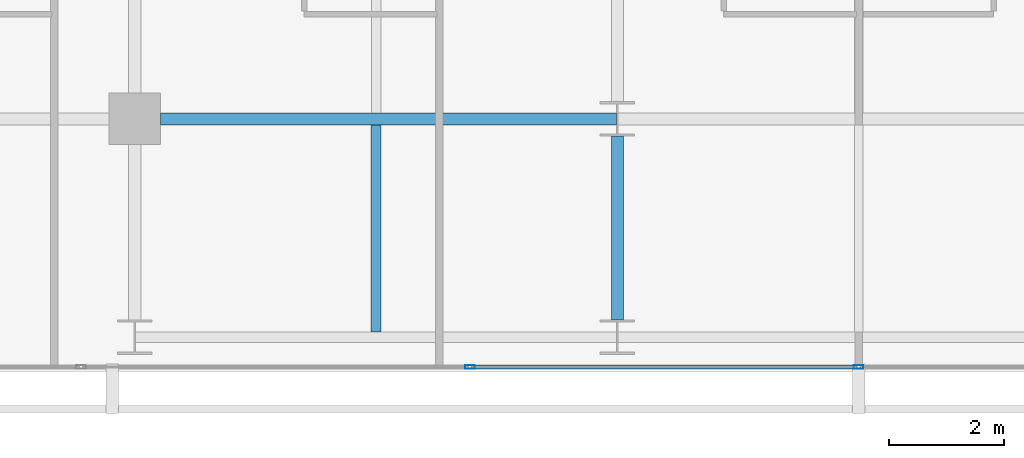
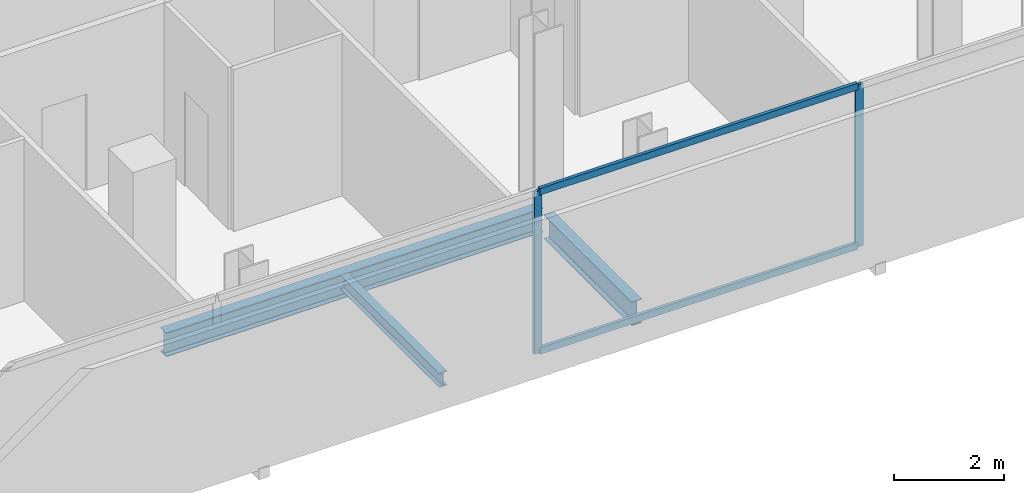
# One storey, part 6 of 33: 4 members, 3 beams, 1 element without a shape of its own.
"""IFC4 building model written with IfcOpenShell, lengths in metres."""

import ifcopenshell
import ifcopenshell.guid

model = None  # the IFC model being written
_history = None  # IfcOwnerHistory: only IFC2X3 demands one
_inside = {}  # id of a spatial element -> (the spatial element, [elements in it])
_under = {}  # id of a project, library or spatial element -> (it, [spatial elements below it])
_declared = {}  # id of a project -> (the project, [libraries it declares])
_typed = {}  # id of a type object -> (the type object, [elements of that type])
_made_of = {}  # id of a material, layer set ... -> (it, [elements and type objects made of it])


def new_model(schema):
    """Start an empty IFC model of exactly this schema.

    Asked for "IFC4X3", IfcOpenShell would pick the latest addendum, in which some entities
    have other attributes; the version numbers below select the first issue.
    IFC2X3 requires an IfcOwnerHistory on every rooted entity: one is made here for all.
    """
    global model, _history
    if schema == "IFC4X3":
        model = ifcopenshell.file(schema_version=(4, 3, 0, 0))
    else:
        model = ifcopenshell.file(schema=schema)
    _inside.clear()
    _under.clear()
    _declared.clear()
    _typed.clear()
    _made_of.clear()
    _history = None
    if model.schema == "IFC2X3":
        org = make("IfcOrganization", Name="unknown")
        user = make(
            "IfcPersonAndOrganization",
            ThePerson=make("IfcPerson", FamilyName="unknown"),
            TheOrganization=org,
        )
        app = make(
            "IfcApplication",
            ApplicationDeveloper=org,
            Version="unknown",
            ApplicationFullName="unknown",
            ApplicationIdentifier="unknown",
        )
        _history = make(
            "IfcOwnerHistory",
            OwningUser=user,
            OwningApplication=app,
            ChangeAction="ADDED",
            CreationDate=0,
        )
    return model


def make(cls, **values):
    """One entity of the class cls with the attributes given. An attribute that is None is left unset."""
    return model.create_entity(
        cls, **{name: value for name, value in values.items() if value is not None}
    )


def rooted(cls, **values):
    """An entity with a GlobalId (a new one), such as an element, a storey or a relation."""
    return make(cls, GlobalId=ifcopenshell.guid.new(), OwnerHistory=_history, **values)


def si_unit(unit_type, name, prefix=None):
    """IfcSIUnit, for example si_unit("LENGTHUNIT", "METRE", prefix="MILLI")."""
    return make("IfcSIUnit", UnitType=unit_type, Prefix=prefix, Name=name)


def assignment(units):
    """IfcUnitAssignment: the units of a project."""
    return None if units is None else make("IfcUnitAssignment", Units=units)


def point(xyz):
    """IfcCartesianPoint."""
    return None if xyz is None else make("IfcCartesianPoint", Coordinates=xyz)


def direction(xyz):
    """IfcDirection."""
    return None if xyz is None else make("IfcDirection", DirectionRatios=xyz)


def frame(location, z_axis=None, x_axis=None):
    """IfcAxis2Placement3D, a coordinate frame: its origin and axes. An axis left out is left unset."""
    return make(
        "IfcAxis2Placement3D",
        Location=point(location),
        Axis=direction(z_axis),
        RefDirection=direction(x_axis),
    )


def frame_2d(location, x_axis=None):
    """IfcAxis2Placement2D, a coordinate frame in the plane: its origin and x axis."""
    return make(
        "IfcAxis2Placement2D", Location=point(location), RefDirection=direction(x_axis)
    )


def origin():
    """The frame at (0, 0, 0) with its axes left unset."""
    return frame((0.0, 0.0, 0.0))


def origin_2d():
    """The frame at (0, 0) in the plane with its x axis left unset."""
    return frame_2d((0.0, 0.0))


def place(relative_to, where):
    """IfcLocalPlacement: puts the frame where relative to a parent placement (None: the world)."""
    return make(
        "IfcLocalPlacement", PlacementRelTo=relative_to, RelativePlacement=where
    )


def context(
    kind, dimensions, precision=None, world=None, true_north=None, identifier=None
):
    """IfcGeometricRepresentationContext, for example the 3D "Model" context."""
    return make(
        "IfcGeometricRepresentationContext",
        ContextIdentifier=identifier,
        ContextType=kind,
        CoordinateSpaceDimension=dimensions,
        Precision=precision,
        WorldCoordinateSystem=world,
        TrueNorth=true_north,
    )


def subcontext(parent, identifier, kind, view, scale=None):
    """IfcGeometricRepresentationSubContext, for example "Body" below "Model"."""
    return make(
        "IfcGeometricRepresentationSubContext",
        ContextIdentifier=identifier,
        ContextType=kind,
        ParentContext=parent,
        TargetScale=scale,
        TargetView=view,
    )


def project(units=None, contexts=None):
    """IfcProject with its units and contexts."""
    return rooted(
        "IfcProject",
        Name="project",
        RepresentationContexts=contexts,
        UnitsInContext=assignment(units),
    )


def spatial(cls, under=None, at=None, **own):
    """A site, building, storey or space (cls), placed at a placement, below another one or the project."""
    s = rooted(cls, ObjectPlacement=at, **own)
    if under is not None:
        _under.setdefault(under.id(), (under, []))[1].append(s)
    return s


def profile(cls, at=None, kind="AREA", **sizes):
    """A parametric profile (cls). Its sizes go by their IFC names, for example OverallWidth=200.0."""
    return make(cls, ProfileType=kind, Position=at, **sizes)


def hollow_rectangle(**sizes):
    """IfcRectangleHollowProfileDef."""
    return profile("IfcRectangleHollowProfileDef", **sizes)


def i_section(**sizes):
    """IfcIShapeProfileDef."""
    return profile("IfcIShapeProfileDef", **sizes)


def extrude(swept, where, along, depth):
    """IfcExtrudedAreaSolid: the profile swept, set in the frame where, extruded along a direction by depth."""
    return make(
        "IfcExtrudedAreaSolid",
        SweptArea=swept,
        Position=where,
        ExtrudedDirection=direction(along),
        Depth=depth,
    )


def shape(context_of_items, identifier, shape_type, items):
    """IfcShapeRepresentation: the items that make up one representation, for example the "Body"."""
    return make(
        "IfcShapeRepresentation",
        ContextOfItems=context_of_items,
        RepresentationIdentifier=identifier,
        RepresentationType=shape_type,
        Items=items,
    )


def material(Name=None, Category=None):
    """IfcMaterial."""
    return make("IfcMaterial", Name=Name, Category=Category)


def layer(
    of_material, thickness, ventilated=None, Name=None, Category=None, Priority=None
):
    """IfcMaterialLayer: one layer of a wall or slab, of a material (None: an air gap)."""
    return make(
        "IfcMaterialLayer",
        Material=of_material,
        LayerThickness=thickness,
        IsVentilated=ventilated,
        Name=Name,
        Category=Category,
        Priority=Priority,
    )


def layer_set(layers, Name=None):
    """IfcMaterialLayerSet."""
    return make("IfcMaterialLayerSet", MaterialLayers=layers, LayerSetName=Name)


def material_profile(
    of_material, cross_section, Name=None, Category=None, Priority=None
):
    """IfcMaterialProfile: a cross section and its material."""
    return make(
        "IfcMaterialProfile",
        Name=Name,
        Material=of_material,
        Profile=cross_section,
        Priority=Priority,
        Category=Category,
    )


def profile_set(profiles, Name=None, composite=None):
    """IfcMaterialProfileSet."""
    return make(
        "IfcMaterialProfileSet",
        Name=Name,
        MaterialProfiles=profiles,
        CompositeProfile=composite,
    )


def made_of(thing, what):
    """Note that an element or type object is made of a material, layer set ...; save() writes the relation."""
    if what is not None:
        _made_of.setdefault(what.id(), (what, []))[1].append(thing)
    return thing


def type_object(cls, material=None, **own):
    """A type object (cls), such as IfcWallType, which elements share."""
    return made_of(rooted(cls, **own), material)


def element(
    cls,
    number,
    at=None,
    inside=None,
    cuts=None,
    type_object=None,
    material=None,
    context=None,
    identifier="Body",
    shape_type=None,
    held_by="IfcProductDefinitionShape",
    body=None,
    shapes=None,
    **own,
):
    """One element of the class cls, such as IfcWall. Its Tag is "e" and its number.

    at: its placement. inside: the storey or other place that contains it. cuts: it is an
    opening in that element (IfcRelVoidsElement). A single representation is given by context,
    identifier, shape_type and body (its items); several are given by shapes. held_by: the class
    of the entity that holds the representations. save() writes the other relations.
    """
    e = rooted(cls, Tag="e%d" % number, ObjectPlacement=at, **own)
    if body is not None:
        shapes = [shape(context, identifier, shape_type, body)]
    if shapes is not None:
        e.Representation = make(held_by, Representations=shapes)
    if inside is not None:
        _inside.setdefault(inside.id(), (inside, []))[1].append(e)
    if cuts is not None:
        rooted(
            "IfcRelVoidsElement", RelatingBuildingElement=cuts, RelatedOpeningElement=e
        )
    if type_object is not None:
        _typed.setdefault(type_object.id(), (type_object, []))[1].append(e)
    return made_of(e, material)


def aggregate(whole, parts):
    """IfcRelAggregates: a whole, such as a stair, and the parts it consists of."""
    return rooted("IfcRelAggregates", RelatingObject=whole, RelatedObjects=parts)


def save(model, path):
    """Write the relations noted so far, then the file.

    IfcRelAggregates (storeys below a building ...), IfcRelContainedInSpatialStructure (elements
    in a storey), IfcRelDefinesByType, IfcRelAssociatesMaterial and IfcRelDeclares: one each for
    every whole, place, type object, material and project.
    """
    for whole, parts in _under.values():
        aggregate(whole, parts)
    for where, things in _inside.values():
        rooted(
            "IfcRelContainedInSpatialStructure",
            RelatedElements=things,
            RelatingStructure=where,
        )
    for kind, things in _typed.values():
        rooted("IfcRelDefinesByType", RelatedObjects=things, RelatingType=kind)
    for what, things in _made_of.values():
        rooted("IfcRelAssociatesMaterial", RelatedObjects=things, RelatingMaterial=what)
    for by, libraries in _declared.values():
        rooted("IfcRelDeclares", RelatingContext=by, RelatedDefinitions=libraries)
    model.write(path)


model = new_model("IFC4")

# Units and contexts
model_context = context("Model", 3, precision=1e-05, world=origin(), true_north=direction((0.0, 1.0)))
body_context = subcontext(model_context, "Body", "Model", "MODEL_VIEW")
ifc_project = project(units=[si_unit("LENGTHUNIT", "METRE"), si_unit("AREAUNIT", "SQUARE_METRE"), si_unit("VOLUMEUNIT", "CUBIC_METRE"), si_unit("PLANEANGLEUNIT", "RADIAN"), si_unit("MASSUNIT", "GRAM", prefix="KILO")], contexts=[model_context])

# Site, building, storey
site_placement = place(None, origin())
site = spatial("IfcSite", under=ifc_project, at=site_placement, CompositionType="ELEMENT")
building_placement = place(site_placement, origin())
building = spatial("IfcBuilding", under=site, at=building_placement, Name="Maruvema Waterfront Hotel and Observation Tower", CompositionType="ELEMENT")
storey_placement = place(building_placement, frame((0.0, 0.0, 200.550048828125)))
storey = spatial("IfcBuildingStorey", under=building, at=storey_placement, Name="L49", CompositionType="ELEMENT", Elevation=200.550048828125)

# Curtain wall, members
ifc_material_1 = material(Name="Anodised bronze aluminium and solar-control low-E IGU", Category="aluminium")
ifc_layer = layer(ifc_material_1, 0.159912109375, Name="Zone 2 Amber Inner Thermal Curtain Wall System CW-03")
ifc_layer_set = layer_set([ifc_layer], Name="Anodised bronze aluminium and solar-control low-E IGU")
curtain_wall_type = type_object("IfcCurtainWallType", Name="Zone 2 Amber Inner Thermal Curtain Wall System CW-03", PredefinedType="USERDEFINED", material=ifc_layer_set)
curtain_wall_placement = place(storey_placement, origin())
curtain_wall = element("IfcCurtainWall", 1, at=curtain_wall_placement, inside=storey, type_object=curtain_wall_type, Name="L49 Curtain Wall CW-L49-S", ObjectType="UNITISED CURTAIN WALL", PredefinedType="USERDEFINED")
ifc_material_2 = material(Name="Anodised architectural bronze aluminium", Category="aluminium")
ifc_material_profile_1 = material_profile(ifc_material_2, hollow_rectangle(XDim=0.070068359375, YDim=0.14990234375, WallThickness=0.00390625, at=origin_2d()), Name="ALU-T70x150")
ifc_profile_set_1 = profile_set([ifc_material_profile_1], Name="Anodised architectural bronze aluminium")
member_type_1 = type_object("IfcMemberType", Name="Curtain Wall Horizontal Transom ALU-T70x150", PredefinedType="USERDEFINED", material=ifc_profile_set_1)
member_1_placement = place(storey_placement, frame((31.063232421875, 4.679931640625, 0.030029296875), z_axis=(1.0, 0.0, 0.0), x_axis=(0.0, 1.0, 0.0)))
member_1 = element("IfcMember", 2, at=member_1_placement, type_object=member_type_1, Name="CW-03 transom 3.1", ObjectType="TRANSOM", PredefinedType="USERDEFINED", context=body_context, shape_type="SweptSolid", body=[
    extrude(hollow_rectangle(XDim=0.070068359375, YDim=0.14990234375, WallThickness=0.00390625, at=origin_2d()), origin(), (0.0, 0.0, 1.0), 6.706787109375),
])
member_2_placement = place(storey_placement, frame((31.063232421875, 4.679931640625, 3.579833984375), z_axis=(1.0, 0.0, 0.0), x_axis=(0.0, 1.0, 0.0)))
member_2 = element("IfcMember", 3, at=member_2_placement, type_object=member_type_1, Name="CW-03 transom 3.2", ObjectType="TRANSOM", PredefinedType="USERDEFINED", context=body_context, shape_type="SweptSolid", body=[
    extrude(hollow_rectangle(XDim=0.070068359375, YDim=0.14990234375, WallThickness=0.00390625, at=origin_2d()), origin(), (0.0, 0.0, 1.0), 6.706787109375),
])
ifc_material_3 = material(Name="Anodised architectural bronze aluminium", Category="aluminium")
ifc_material_profile_2 = material_profile(ifc_material_3, hollow_rectangle(XDim=0.06494140625, YDim=0.1650390625, WallThickness=0.00390625, at=origin_2d()), Name="ALU-M65x165")
ifc_profile_set_2 = profile_set([ifc_material_profile_2], Name="Anodised architectural bronze aluminium")
member_type_2 = type_object("IfcMemberType", Name="Curtain Wall Primary Mullion ALU-M65x165", PredefinedType="MULLION", material=ifc_profile_set_2)
member_3_placement = place(storey_placement, frame((31.033447265625, 4.679931640625, 0.0), z_axis=(0.0, 0.0, 1.0), x_axis=(0.0, 1.0, 0.0)))
member_3 = element("IfcMember", 4, at=member_3_placement, type_object=member_type_2, Name="CW-03 mullion 3", PredefinedType="MULLION", context=body_context, shape_type="SweptSolid", body=[
    extrude(hollow_rectangle(XDim=0.06494140625, YDim=0.1650390625, WallThickness=0.00390625, at=origin_2d()), origin(), (0.0, 0.0, 1.0), 3.60986328125),
])
member_4_placement = place(storey_placement, frame((37.800048828125, 4.679931640625, 0.0), z_axis=(0.0, 0.0, 1.0), x_axis=(0.0, 1.0, 0.0)))
member_4 = element("IfcMember", 5, at=member_4_placement, type_object=member_type_2, Name="CW-03 mullion 4", PredefinedType="MULLION", context=body_context, shape_type="SweptSolid", body=[
    extrude(hollow_rectangle(XDim=0.06494140625, YDim=0.1650390625, WallThickness=0.00390625, at=origin_2d()), origin(), (0.0, 0.0, 1.0), 3.60986328125),
])
aggregate(curtain_wall, [member_3, member_4, member_1, member_2])

# Beams
ifc_material_4 = material(Name="Steel ASTM A572 Grade 50", Category="steel")
ifc_material_profile_3 = material_profile(ifc_material_4, i_section(OverallWidth=0.2109375, OverallDepth=0.5390625, WebThickness=0.01171875, FlangeThickness=0.018798828125, FilletRadius=0.014892578125, at=origin_2d()), Name="W530x109.0")
ifc_profile_set_3 = profile_set([ifc_material_profile_3], Name="Steel ASTM A572 Grade 50")
beam_type_1 = type_object("IfcBeamType", Name="Primary Floor Girder W530x109.0", PredefinedType="BEAM", material=ifc_profile_set_3)
beam_1_placement = place(storey_placement, frame((25.64990234375, 9.0, -0.509521484375), z_axis=(1.0, 0.0, 0.0), x_axis=(0.0, 1.0, 0.0)))
element("IfcBeam", 6, at=beam_1_placement, inside=storey, type_object=beam_type_1, Name="L49 Floor Girder EW-06", PredefinedType="BEAM", context=body_context, shape_type="SweptSolid", body=[
    extrude(i_section(OverallWidth=0.2109375, OverallDepth=0.5390625, WebThickness=0.01171875, FlangeThickness=0.018798828125, FilletRadius=0.014892578125, at=origin_2d()), origin(), (0.0, 0.0, 1.0), 7.9375),
])
beam_2_placement = place(storey_placement, frame((33.60009765625, 5.5, -0.509521484375), z_axis=(0.0, 1.0, 0.0), x_axis=(-1.0, 0.0, 0.0)))
element("IfcBeam", 7, at=beam_2_placement, inside=storey, type_object=beam_type_1, Name="L49 Floor Girder NS-14", PredefinedType="BEAM", context=body_context, shape_type="SweptSolid", body=[
    extrude(i_section(OverallWidth=0.2109375, OverallDepth=0.5390625, WebThickness=0.01171875, FlangeThickness=0.018798828125, FilletRadius=0.014892578125, at=origin_2d()), origin(), (0.0, 0.0, 1.0), 3.199951171875),
])
ifc_material_5 = material(Name="Steel ASTM A572 Grade 50", Category="steel")
ifc_material_profile_4 = material_profile(ifc_material_5, i_section(OverallWidth=0.1669921875, OverallDepth=0.31689453125, WebThickness=0.007568359375, FlangeThickness=0.01318359375, FilletRadius=0.012939453125, at=origin_2d()), Name="W310x52.0")
ifc_profile_set_4 = profile_set([ifc_material_profile_4], Name="Steel ASTM A572 Grade 50")
beam_type_2 = type_object("IfcBeamType", Name="Secondary Floor Joist W310x52.0", PredefinedType="JOIST", material=ifc_profile_set_4)
beam_3_placement = place(storey_placement, frame((29.39990234375, 5.28955078125, -0.3984375), z_axis=(0.0, 1.0, 0.0), x_axis=(-1.0, 0.0, 0.0)))
element("IfcBeam", 8, at=beam_3_placement, inside=storey, type_object=beam_type_2, Name="L49 Secondary Floor Joist JS-05", PredefinedType="JOIST", context=body_context, shape_type="SweptSolid", body=[
    extrude(i_section(OverallWidth=0.1669921875, OverallDepth=0.31689453125, WebThickness=0.007568359375, FlangeThickness=0.01318359375, FilletRadius=0.012939453125, at=origin_2d()), origin(), (0.0, 0.0, 1.0), 3.60498046875),
])

save(model, "model.ifc")
